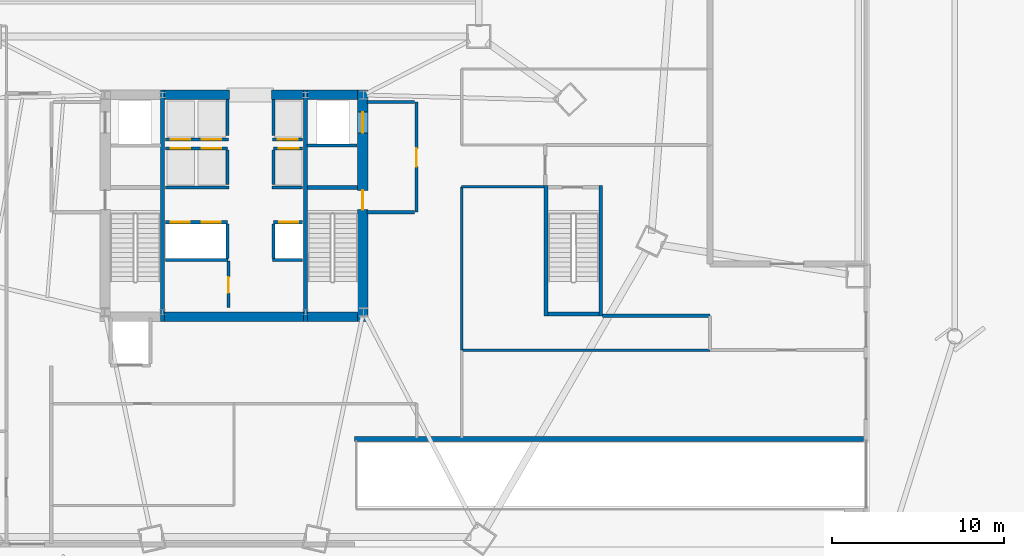
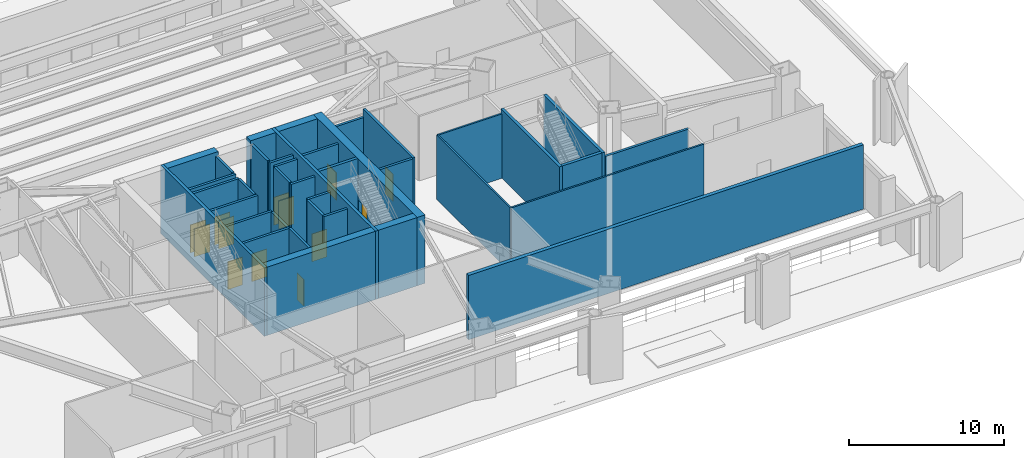
# One storey, part 12 of 19: 38 walls, 13 doors, 13 openings.
"""IFC4 building model written with IfcOpenShell, lengths in metres."""

import ifcopenshell
import ifcopenshell.guid

model = None  # the IFC model being written
_history = None  # IfcOwnerHistory: only IFC2X3 demands one
_inside = {}  # id of a spatial element -> (the spatial element, [elements in it])
_under = {}  # id of a project, library or spatial element -> (it, [spatial elements below it])
_declared = {}  # id of a project -> (the project, [libraries it declares])
_typed = {}  # id of a type object -> (the type object, [elements of that type])
_made_of = {}  # id of a material, layer set ... -> (it, [elements and type objects made of it])


def new_model(schema):
    """Start an empty IFC model of exactly this schema.

    Asked for "IFC4X3", IfcOpenShell would pick the latest addendum, in which some entities
    have other attributes; the version numbers below select the first issue.
    IFC2X3 requires an IfcOwnerHistory on every rooted entity: one is made here for all.
    """
    global model, _history
    if schema == "IFC4X3":
        model = ifcopenshell.file(schema_version=(4, 3, 0, 0))
    else:
        model = ifcopenshell.file(schema=schema)
    _inside.clear()
    _under.clear()
    _declared.clear()
    _typed.clear()
    _made_of.clear()
    _history = None
    if model.schema == "IFC2X3":
        org = make("IfcOrganization", Name="unknown")
        user = make(
            "IfcPersonAndOrganization",
            ThePerson=make("IfcPerson", FamilyName="unknown"),
            TheOrganization=org,
        )
        app = make(
            "IfcApplication",
            ApplicationDeveloper=org,
            Version="unknown",
            ApplicationFullName="unknown",
            ApplicationIdentifier="unknown",
        )
        _history = make(
            "IfcOwnerHistory",
            OwningUser=user,
            OwningApplication=app,
            ChangeAction="ADDED",
            CreationDate=0,
        )
    return model


def make(cls, **values):
    """One entity of the class cls with the attributes given. An attribute that is None is left unset."""
    return model.create_entity(
        cls, **{name: value for name, value in values.items() if value is not None}
    )


def rooted(cls, **values):
    """An entity with a GlobalId (a new one), such as an element, a storey or a relation."""
    return make(cls, GlobalId=ifcopenshell.guid.new(), OwnerHistory=_history, **values)


def si_unit(unit_type, name, prefix=None):
    """IfcSIUnit, for example si_unit("LENGTHUNIT", "METRE", prefix="MILLI")."""
    return make("IfcSIUnit", UnitType=unit_type, Prefix=prefix, Name=name)


def assignment(units):
    """IfcUnitAssignment: the units of a project."""
    return None if units is None else make("IfcUnitAssignment", Units=units)


def point(xyz):
    """IfcCartesianPoint."""
    return None if xyz is None else make("IfcCartesianPoint", Coordinates=xyz)


def direction(xyz):
    """IfcDirection."""
    return None if xyz is None else make("IfcDirection", DirectionRatios=xyz)


def frame(location, z_axis=None, x_axis=None):
    """IfcAxis2Placement3D, a coordinate frame: its origin and axes. An axis left out is left unset."""
    return make(
        "IfcAxis2Placement3D",
        Location=point(location),
        Axis=direction(z_axis),
        RefDirection=direction(x_axis),
    )


def frame_2d(location, x_axis=None):
    """IfcAxis2Placement2D, a coordinate frame in the plane: its origin and x axis."""
    return make(
        "IfcAxis2Placement2D", Location=point(location), RefDirection=direction(x_axis)
    )


def origin():
    """The frame at (0, 0, 0) with its axes left unset."""
    return frame((0.0, 0.0, 0.0))


def place(relative_to, where):
    """IfcLocalPlacement: puts the frame where relative to a parent placement (None: the world)."""
    return make(
        "IfcLocalPlacement", PlacementRelTo=relative_to, RelativePlacement=where
    )


def context(
    kind, dimensions, precision=None, world=None, true_north=None, identifier=None
):
    """IfcGeometricRepresentationContext, for example the 3D "Model" context."""
    return make(
        "IfcGeometricRepresentationContext",
        ContextIdentifier=identifier,
        ContextType=kind,
        CoordinateSpaceDimension=dimensions,
        Precision=precision,
        WorldCoordinateSystem=world,
        TrueNorth=true_north,
    )


def subcontext(parent, identifier, kind, view, scale=None):
    """IfcGeometricRepresentationSubContext, for example "Body" below "Model"."""
    return make(
        "IfcGeometricRepresentationSubContext",
        ContextIdentifier=identifier,
        ContextType=kind,
        ParentContext=parent,
        TargetScale=scale,
        TargetView=view,
    )


def project(units=None, contexts=None):
    """IfcProject with its units and contexts."""
    return rooted(
        "IfcProject",
        Name="project",
        RepresentationContexts=contexts,
        UnitsInContext=assignment(units),
    )


def spatial(cls, under=None, at=None, **own):
    """A site, building, storey or space (cls), placed at a placement, below another one or the project."""
    s = rooted(cls, ObjectPlacement=at, **own)
    if under is not None:
        _under.setdefault(under.id(), (under, []))[1].append(s)
    return s


def profile(cls, at=None, kind="AREA", **sizes):
    """A parametric profile (cls). Its sizes go by their IFC names, for example OverallWidth=200.0."""
    return make(cls, ProfileType=kind, Position=at, **sizes)


def rectangle(**sizes):
    """IfcRectangleProfileDef."""
    return profile("IfcRectangleProfileDef", **sizes)


def extrude(swept, where, along, depth):
    """IfcExtrudedAreaSolid: the profile swept, set in the frame where, extruded along a direction by depth."""
    return make(
        "IfcExtrudedAreaSolid",
        SweptArea=swept,
        Position=where,
        ExtrudedDirection=direction(along),
        Depth=depth,
    )


def shape(context_of_items, identifier, shape_type, items):
    """IfcShapeRepresentation: the items that make up one representation, for example the "Body"."""
    return make(
        "IfcShapeRepresentation",
        ContextOfItems=context_of_items,
        RepresentationIdentifier=identifier,
        RepresentationType=shape_type,
        Items=items,
    )


def material(Name=None, Category=None):
    """IfcMaterial."""
    return make("IfcMaterial", Name=Name, Category=Category)


def layer(
    of_material, thickness, ventilated=None, Name=None, Category=None, Priority=None
):
    """IfcMaterialLayer: one layer of a wall or slab, of a material (None: an air gap)."""
    return make(
        "IfcMaterialLayer",
        Material=of_material,
        LayerThickness=thickness,
        IsVentilated=ventilated,
        Name=Name,
        Category=Category,
        Priority=Priority,
    )


def layer_set(layers, Name=None):
    """IfcMaterialLayerSet."""
    return make("IfcMaterialLayerSet", MaterialLayers=layers, LayerSetName=Name)


def made_of(thing, what):
    """Note that an element or type object is made of a material, layer set ...; save() writes the relation."""
    if what is not None:
        _made_of.setdefault(what.id(), (what, []))[1].append(thing)
    return thing


def type_object(cls, material=None, **own):
    """A type object (cls), such as IfcWallType, which elements share."""
    return made_of(rooted(cls, **own), material)


def element(
    cls,
    number,
    at=None,
    inside=None,
    cuts=None,
    type_object=None,
    material=None,
    context=None,
    identifier="Body",
    shape_type=None,
    held_by="IfcProductDefinitionShape",
    body=None,
    shapes=None,
    **own,
):
    """One element of the class cls, such as IfcWall. Its Tag is "e" and its number.

    at: its placement. inside: the storey or other place that contains it. cuts: it is an
    opening in that element (IfcRelVoidsElement). A single representation is given by context,
    identifier, shape_type and body (its items); several are given by shapes. held_by: the class
    of the entity that holds the representations. save() writes the other relations.
    """
    e = rooted(cls, Tag="e%d" % number, ObjectPlacement=at, **own)
    if body is not None:
        shapes = [shape(context, identifier, shape_type, body)]
    if shapes is not None:
        e.Representation = make(held_by, Representations=shapes)
    if inside is not None:
        _inside.setdefault(inside.id(), (inside, []))[1].append(e)
    if cuts is not None:
        rooted(
            "IfcRelVoidsElement", RelatingBuildingElement=cuts, RelatedOpeningElement=e
        )
    if type_object is not None:
        _typed.setdefault(type_object.id(), (type_object, []))[1].append(e)
    return made_of(e, material)


def fill(opening, filler):
    """IfcRelFillsElement: the door or window that sits in an opening."""
    return rooted(
        "IfcRelFillsElement",
        RelatingOpeningElement=opening,
        RelatedBuildingElement=filler,
    )


def aggregate(whole, parts):
    """IfcRelAggregates: a whole, such as a stair, and the parts it consists of."""
    return rooted("IfcRelAggregates", RelatingObject=whole, RelatedObjects=parts)


def save(model, path):
    """Write the relations noted so far, then the file.

    IfcRelAggregates (storeys below a building ...), IfcRelContainedInSpatialStructure (elements
    in a storey), IfcRelDefinesByType, IfcRelAssociatesMaterial and IfcRelDeclares: one each for
    every whole, place, type object, material and project.
    """
    for whole, parts in _under.values():
        aggregate(whole, parts)
    for where, things in _inside.values():
        rooted(
            "IfcRelContainedInSpatialStructure",
            RelatedElements=things,
            RelatingStructure=where,
        )
    for kind, things in _typed.values():
        rooted("IfcRelDefinesByType", RelatedObjects=things, RelatingType=kind)
    for what, things in _made_of.values():
        rooted("IfcRelAssociatesMaterial", RelatedObjects=things, RelatingMaterial=what)
    for by, libraries in _declared.values():
        rooted("IfcRelDeclares", RelatingContext=by, RelatedDefinitions=libraries)
    model.write(path)


model = new_model("IFC4")

# Units and contexts
model_context = context("Model", 3, precision=1e-05, world=origin(), true_north=direction((0.0, 1.0)))
body_context = subcontext(model_context, "Body", "Model", "MODEL_VIEW")
ifc_project = project(units=[si_unit("LENGTHUNIT", "METRE"), si_unit("AREAUNIT", "SQUARE_METRE"), si_unit("VOLUMEUNIT", "CUBIC_METRE"), si_unit("PLANEANGLEUNIT", "RADIAN"), si_unit("MASSUNIT", "GRAM", prefix="KILO")], contexts=[model_context])

# Site, building, storey
site_placement = place(None, origin())
site = spatial("IfcSite", under=ifc_project, at=site_placement, CompositionType="ELEMENT")
building_placement = place(site_placement, origin())
building = spatial("IfcBuilding", under=site, at=building_placement, Name="Caelisora Broadcast Tower", CompositionType="ELEMENT")
storey_placement = place(building_placement, origin())
storey = spatial("IfcBuildingStorey", under=building, at=storey_placement, Name="L00", CompositionType="ELEMENT", Elevation=0.0)

# Wall, openings, doors
ifc_material_1 = material(Name="Concrete 65 MPa (AS 3600 S65)", Category="concrete")
ifc_layer_1 = layer(ifc_material_1, 0.60009765625, Name="Concrete 65 MPa (AS 3600 S65)")
ifc_layer_set_1 = layer_set([ifc_layer_1], Name="Concrete 65 MPa (AS 3600 S65)")
wall_type_1 = type_object("IfcWallType", Name="CW1", PredefinedType="SHEAR", material=ifc_layer_set_1)
wall_1_placement = place(storey_placement, frame((45.4599609375, 16.85009765625, 0.0), z_axis=(0.0, 0.0, 1.0), x_axis=(0.0, 1.0, 0.0)))
wall_1 = element("IfcWall", 1, at=wall_1_placement, inside=storey, type_object=wall_type_1, Name="L00 core shear wall CW1", PredefinedType="SHEAR", context=body_context, shape_type="SweptSolid", body=[
    extrude(rectangle(XDim=13.4248046875, YDim=0.60009765625, at=frame_2d((6.71240234375, 0.0))), origin(), (0.0, 0.0, 1.0), 5.39990234375),
])
opening_1_placement = place(wall_1_placement, frame((6.5, 0.0, 0.0)))
opening_1 = element("IfcOpeningElement", 2, at=opening_1_placement, cuts=wall_1, Name="Opening FD04", PredefinedType="OPENING", context=body_context, shape_type="SweptSolid", body=[
    extrude(rectangle(XDim=1.1201171875, YDim=2.14990234375, at=frame_2d((0.56005859375, 1.074951171875))), frame((0.0, 0.31201171875, 0.0), z_axis=(0.0, -1.0, 0.0), x_axis=(1.0, 0.0, 0.0)), (0.0, 0.0, 1.0), 0.6240234375),
])
opening_2_placement = place(wall_1_placement, frame((10.949951171875, 0.0, 0.0)))
opening_2 = element("IfcOpeningElement", 3, at=opening_2_placement, cuts=wall_1, Name="Opening LD04", PredefinedType="OPENING", context=body_context, shape_type="SweptSolid", body=[
    extrude(rectangle(XDim=1.199951171875, YDim=2.199951171875, at=frame_2d((0.60009765625, 1.10009765625))), frame((0.0, 0.31201171875, 0.0), z_axis=(0.0, -1.0, 0.0), x_axis=(1.0, 0.0, 0.0)), (0.0, 0.0, 1.0), 0.6240234375),
])
ifc_material_2 = material(Name="Pressurised Fire-Isolated Stair Door", Category="steel")
door_type_1 = type_object("IfcDoorType", Name="FD04", OperationType="NOTDEFINED", PredefinedType="DOOR", material=ifc_material_2)
door_1_placement = place(opening_1_placement, origin())
door_1 = element("IfcDoor", 4, at=door_1_placement, inside=storey, type_object=door_type_1, Name="L00 door FD04 (L00-DR-ST2)", OperationType="SINGLE_SWING_RIGHT", OverallHeight=2.14990234375, OverallWidth=1.1201171875, PredefinedType="DOOR", context=body_context, shape_type="SweptSolid", body=[
    extrude(rectangle(XDim=1.1201171875, YDim=2.14990234375, at=frame_2d((0.56005859375, 1.074951171875))), frame((0.0, 0.02490234375, 0.0), z_axis=(0.0, -1.0, 0.0), x_axis=(1.0, 0.0, 0.0)), (0.0, 0.0, 1.0), 0.050048828125),
])
fill(opening_1, door_1)
ifc_material_3 = material(Name="Emergency Firefighting Lift Sliding Landing Door", Category="steel")
door_type_2 = type_object("IfcDoorType", Name="LD04", OperationType="NOTDEFINED", PredefinedType="DOOR", material=ifc_material_3)
door_2_placement = place(opening_2_placement, origin())
door_2 = element("IfcDoor", 5, at=door_2_placement, inside=storey, type_object=door_type_2, Name="L00 door LD04 (L00-LD-FFL2)", OperationType="SLIDING_TO_RIGHT", OverallHeight=2.199951171875, OverallWidth=1.199951171875, PredefinedType="DOOR", context=body_context, shape_type="SweptSolid", body=[
    extrude(rectangle(XDim=1.199951171875, YDim=2.199951171875, at=frame_2d((0.60009765625, 1.10009765625))), frame((0.0, 0.02490234375, 0.0), z_axis=(0.0, -1.0, 0.0), x_axis=(1.0, 0.0, 0.0)), (0.0, 0.0, 1.0), 0.050048828125),
])
fill(opening_2, door_2)

# Walls
ifc_layer_2 = layer(ifc_material_1, 0.550048828125, Name="Concrete 65 MPa (AS 3600 S65)")
ifc_layer_set_2 = layer_set([ifc_layer_2], Name="Concrete 65 MPa (AS 3600 S65)")
wall_type_2 = type_object("IfcWallType", Name="CW4", PredefinedType="SHEAR", material=ifc_layer_set_2)
wall_2_placement = place(storey_placement, frame((33.9599609375, 17.125, 0.0), z_axis=(0.0, 0.0, 1.0), x_axis=(1.0, 0.0, 0.0)))
element("IfcWall", 6, at=wall_2_placement, inside=storey, type_object=wall_type_2, Name="L00 core shear wall CW4", PredefinedType="SHEAR", context=body_context, shape_type="SweptSolid", body=[
    extrude(rectangle(XDim=8.080078125, YDim=0.550048828125, at=frame_2d((4.0400390625, 0.0))), origin(), (0.0, 0.0, 1.0), 5.39990234375),
])
wall_3_placement = place(storey_placement, frame((42.260009765625, 17.125, 0.0), z_axis=(0.0, 0.0, 1.0), x_axis=(1.0, 0.0, 0.0)))
element("IfcWall", 7, at=wall_3_placement, inside=storey, type_object=wall_type_2, Name="L00 core shear wall CW4", PredefinedType="SHEAR", context=body_context, shape_type="SweptSolid", body=[
    extrude(rectangle(XDim=2.89990234375, YDim=0.550048828125, at=frame_2d((1.449951171875, 0.0))), origin(), (0.0, 0.0, 1.0), 5.39990234375),
])
wall_4_placement = place(storey_placement, frame((33.9599609375, 30.0, 0.0), z_axis=(0.0, 0.0, 1.0), x_axis=(1.0, 0.0, 0.0)))
element("IfcWall", 8, at=wall_4_placement, inside=storey, type_object=wall_type_2, Name="L00 core shear wall CW4", PredefinedType="SHEAR", context=body_context, shape_type="SweptSolid", body=[
    extrude(rectangle(XDim=3.780029296875, YDim=0.550048828125, at=frame_2d((1.89013671875, 0.0))), origin(), (0.0, 0.0, 1.0), 5.39990234375),
])
wall_5_placement = place(storey_placement, frame((40.159912109375, 30.0, 0.0), z_axis=(0.0, 0.0, 1.0), x_axis=(1.0, 0.0, 0.0)))
element("IfcWall", 9, at=wall_5_placement, inside=storey, type_object=wall_type_2, Name="L00 core shear wall CW4", PredefinedType="SHEAR", context=body_context, shape_type="SweptSolid", body=[
    extrude(rectangle(XDim=1.880126953125, YDim=0.550048828125, at=frame_2d((0.93994140625, 0.0))), origin(), (0.0, 0.0, 1.0), 5.39990234375),
])
wall_6_placement = place(storey_placement, frame((42.260009765625, 30.0, 0.0), z_axis=(0.0, 0.0, 1.0), x_axis=(1.0, 0.0, 0.0)))
element("IfcWall", 10, at=wall_6_placement, inside=storey, type_object=wall_type_2, Name="L00 core shear wall CW4", PredefinedType="SHEAR", context=body_context, shape_type="SweptSolid", body=[
    extrude(rectangle(XDim=2.89990234375, YDim=0.550048828125, at=frame_2d((1.449951171875, 0.0))), origin(), (0.0, 0.0, 1.0), 5.39990234375),
])
ifc_material_4 = material(Name="Concrete 50 MPa (AS 3600 S50)", Category="concrete")
ifc_layer_3 = layer(ifc_material_4, 0.219970703125, Name="Concrete 50 MPa (AS 3600 S50)")
ifc_layer_set_3 = layer_set([ifc_layer_3], Name="Concrete 50 MPa (AS 3600 S50)")
wall_type_3 = type_object("IfcWallType", Name="CW7", PredefinedType="SHEAR", material=ifc_layer_set_3)
for number, where, z_axis, x_axis, name in (
    (11, (33.85009765625, 16.85009765625, 0.0), (0.0, 0.0, 1.0), (0.0, 1.0, 0.0), "L00 core shear wall CW7"),
    (12, (42.14990234375, 16.85009765625, 0.0), (0.0, 0.0, 1.0), (0.0, 1.0, 0.0), "L00 core shear wall CW7"),
):
    element("IfcWall", number, at=place(storey_placement, frame(where, z_axis=z_axis, x_axis=x_axis)), inside=storey, type_object=wall_type_3, Name=name, PredefinedType="SHEAR", context=body_context, shape_type="SweptSolid", body=[
        extrude(rectangle(XDim=13.4248046875, YDim=0.219970703125, at=frame_2d((6.71240234375, 0.0))), origin(), (0.0, 0.0, 1.0), 5.39990234375),
    ])
wall_7_placement = place(storey_placement, frame((42.260009765625, 24.639892578125, 0.0), z_axis=(0.0, 0.0, 1.0), x_axis=(1.0, 0.0, 0.0)))
element("IfcWall", 13, at=wall_7_placement, inside=storey, type_object=wall_type_3, Name="L00 core shear wall CW7", PredefinedType="SHEAR", context=body_context, shape_type="SweptSolid", body=[
    extrude(rectangle(XDim=2.89990234375, YDim=0.219970703125, at=frame_2d((1.449951171875, 0.0))), origin(), (0.0, 0.0, 1.0), 5.39990234375),
])
for number, where, z_axis, x_axis, name in (
    (14, (56.090087890625, 17.179931640625, 0.0), (0.0, 0.0, 1.0), (0.0, 1.0, 0.0), "L00 core shear wall CW7"),
    (15, (59.27001953125, 17.179931640625, 0.0), (0.0, 0.0, 1.0), (0.0, 1.0, 0.0), "L00 core shear wall CW7"),
):
    element("IfcWall", number, at=place(storey_placement, frame(where, z_axis=z_axis, x_axis=x_axis)), inside=storey, type_object=wall_type_3, Name=name, PredefinedType="SHEAR", context=body_context, shape_type="SweptSolid", body=[
        extrude(rectangle(XDim=7.580078125, YDim=0.219970703125, at=frame_2d((3.7900390625, 0.0))), origin(), (0.0, 0.0, 1.0), 5.39990234375),
    ])
wall_8_placement = place(storey_placement, frame((56.199951171875, 17.2900390625, 0.0), z_axis=(0.0, 0.0, 1.0), x_axis=(1.0, 0.0, 0.0)))
element("IfcWall", 16, at=wall_8_placement, inside=storey, type_object=wall_type_3, Name="L00 core shear wall CW7", PredefinedType="SHEAR", context=body_context, shape_type="SweptSolid", body=[
    extrude(rectangle(XDim=2.9599609375, YDim=0.219970703125, at=frame_2d((1.47998046875, 0.0))), origin(), (0.0, 0.0, 1.0), 5.39990234375),
])
ifc_material_5 = material(Name="Insulated Terracotta Spandrel Wall System", Category="masonry")
ifc_layer_4 = layer(ifc_material_5, 0.280029296875, Name="Insulated Terracotta Spandrel Wall System")
ifc_layer_set_4 = layer_set([ifc_layer_4], Name="Insulated Terracotta Spandrel Wall System")
wall_type_4 = type_object("IfcWallType", Name="EW1", PredefinedType="STANDARD", material=ifc_layer_set_4)
wall_9_placement = place(storey_placement, frame((45.0, 10.050048828125, 0.0), z_axis=(0.0, 0.0, 1.0), x_axis=(1.0, 0.0, 0.0)))
element("IfcWall", 17, at=wall_9_placement, inside=storey, type_object=wall_type_4, Name="L00 exterior envelope wall EW1", PredefinedType="STANDARD", context=body_context, shape_type="SweptSolid", body=[
    extrude(rectangle(XDim=29.5, YDim=0.280029296875, at=frame_2d((14.75, 0.0))), origin(), (0.0, 0.0, 1.0), 5.080078125),
])

# Wall, openings, doors
ifc_material_6 = material(Name="Fire-Rated Gypsum Shaft and Compartment Wall", Category="gypsum")
ifc_layer_5 = layer(ifc_material_6, 0.179931640625, Name="Fire-Rated Gypsum Shaft and Compartment Wall")
ifc_layer_set_5 = layer_set([ifc_layer_5], Name="Fire-Rated Gypsum Shaft and Compartment Wall")
wall_type_5 = type_object("IfcWallType", Name="PW2", PredefinedType="PARTITIONING", material=ifc_layer_set_5)
wall_10_placement = place(storey_placement, frame((34.02001953125, 22.6201171875, 0.0), z_axis=(0.0, 0.0, 1.0), x_axis=(1.0, 0.0, 0.0)))
wall_10 = element("IfcWall", 18, at=wall_10_placement, inside=storey, type_object=wall_type_5, Name="L00 fire compartment wall PW2", PredefinedType="PARTITIONING", context=body_context, shape_type="SweptSolid", body=[
    extrude(rectangle(XDim=3.60009765625, YDim=0.179931640625, at=frame_2d((1.800048828125, 0.0))), origin(), (0.0, 0.0, 1.0), 5.080078125),
])
opening_3_placement = place(wall_10_placement, frame((0.320068359375, 0.0, 0.0)))
opening_3 = element("IfcOpeningElement", 19, at=opening_3_placement, cuts=wall_10, Name="Opening LD01", PredefinedType="OPENING", context=body_context, shape_type="SweptSolid", body=[
    extrude(rectangle(XDim=1.10009765625, YDim=2.199951171875, at=frame_2d((0.550048828125, 1.10009765625))), frame((0.0, 0.10205078125, 0.0), z_axis=(0.0, -1.0, 0.0), x_axis=(1.0, 0.0, 0.0)), (0.0, 0.0, 1.0), 0.203857421875),
])
opening_4_placement = place(wall_10_placement, frame((2.1201171875, 0.0, 0.0)))
opening_4 = element("IfcOpeningElement", 20, at=opening_4_placement, cuts=wall_10, Name="Opening LD01", PredefinedType="OPENING", context=body_context, shape_type="SweptSolid", body=[
    extrude(rectangle(XDim=1.10009765625, YDim=2.199951171875, at=frame_2d((0.550048828125, 1.10009765625))), frame((0.0, 0.10205078125, 0.0), z_axis=(0.0, -1.0, 0.0), x_axis=(1.0, 0.0, 0.0)), (0.0, 0.0, 1.0), 0.203857421875),
])
ifc_material_7 = material(Name="Stainless Steel Centre-Parting Lift Landing Door", Category="steel")
door_type_3 = type_object("IfcDoorType", Name="LD01", OperationType="NOTDEFINED", PredefinedType="DOOR", material=ifc_material_7)
door_3_placement = place(opening_3_placement, origin())
door_3 = element("IfcDoor", 21, at=door_3_placement, inside=storey, type_object=door_type_3, Name="L00 door LD01 (L00-LD-PLL1)", OperationType="SLIDING_TO_LEFT", OverallHeight=2.199951171875, OverallWidth=1.10009765625, PredefinedType="DOOR", context=body_context, shape_type="SweptSolid", body=[
    extrude(rectangle(XDim=1.10009765625, YDim=2.199951171875, at=frame_2d((0.550048828125, 1.10009765625))), frame((0.0, 0.02490234375, 0.0), z_axis=(0.0, -1.0, 0.0), x_axis=(1.0, 0.0, 0.0)), (0.0, 0.0, 1.0), 0.050048828125),
])
fill(opening_3, door_3)
door_4_placement = place(opening_4_placement, origin())
door_4 = element("IfcDoor", 22, at=door_4_placement, inside=storey, type_object=door_type_3, Name="L00 door LD01 (L00-LD-PLL2)", OperationType="SLIDING_TO_RIGHT", OverallHeight=2.199951171875, OverallWidth=1.10009765625, PredefinedType="DOOR", context=body_context, shape_type="SweptSolid", body=[
    extrude(rectangle(XDim=1.10009765625, YDim=2.199951171875, at=frame_2d((0.550048828125, 1.10009765625))), frame((0.0, 0.02490234375, 0.0), z_axis=(0.0, -1.0, 0.0), x_axis=(1.0, 0.0, 0.0)), (0.0, 0.0, 1.0), 0.050048828125),
])
fill(opening_4, door_4)

# Wall, opening, door
wall_11_placement = place(storey_placement, frame((40.280029296875, 22.6201171875, 0.0), z_axis=(0.0, 0.0, 1.0), x_axis=(1.0, 0.0, 0.0)))
wall_11 = element("IfcWall", 23, at=wall_11_placement, inside=storey, type_object=wall_type_5, Name="L00 fire compartment wall PW2", PredefinedType="PARTITIONING", context=body_context, shape_type="SweptSolid", body=[
    extrude(rectangle(XDim=1.699951171875, YDim=0.179931640625, at=frame_2d((0.85009765625, 0.0))), origin(), (0.0, 0.0, 1.0), 5.080078125),
])
opening_5_placement = place(wall_11_placement, frame((0.35009765625, 0.0, 0.0)))
opening_5 = element("IfcOpeningElement", 24, at=opening_5_placement, cuts=wall_11, Name="Opening LD01", PredefinedType="OPENING", context=body_context, shape_type="SweptSolid", body=[
    extrude(rectangle(XDim=1.10009765625, YDim=2.199951171875, at=frame_2d((0.550048828125, 1.10009765625))), frame((0.0, 0.10205078125, 0.0), z_axis=(0.0, -1.0, 0.0), x_axis=(1.0, 0.0, 0.0)), (0.0, 0.0, 1.0), 0.203857421875),
])
door_5_placement = place(opening_5_placement, origin())
door_5 = element("IfcDoor", 25, at=door_5_placement, inside=storey, type_object=door_type_3, Name="L00 door LD01 (L00-LD-PLL3)", OperationType="SLIDING_TO_LEFT", OverallHeight=2.199951171875, OverallWidth=1.10009765625, PredefinedType="DOOR", context=body_context, shape_type="SweptSolid", body=[
    extrude(rectangle(XDim=1.10009765625, YDim=2.199951171875, at=frame_2d((0.550048828125, 1.10009765625))), frame((0.0, 0.02490234375, 0.0), z_axis=(0.0, -1.0, 0.0), x_axis=(1.0, 0.0, 0.0)), (0.0, 0.0, 1.0), 0.050048828125),
])
fill(opening_5, door_5)

# Walls
for number, where, z_axis, x_axis, name in (
    (26, (37.6201171875, 20.52001953125, 0.0), (0.0, 0.0, 1.0), (0.0, 1.0, 0.0), "L00 fire compartment wall PW2"),
    (27, (40.280029296875, 20.52001953125, 0.0), (0.0, 0.0, 1.0), (0.0, 1.0, 0.0), "L00 fire compartment wall PW2"),
):
    element("IfcWall", number, at=place(storey_placement, frame(where, z_axis=z_axis, x_axis=x_axis)), inside=storey, type_object=wall_type_5, Name=name, PredefinedType="PARTITIONING", context=body_context, shape_type="SweptSolid", body=[
        extrude(rectangle(XDim=2.0, YDim=0.179931640625, at=frame_2d((1.0, 0.0))), origin(), (0.0, 0.0, 1.0), 5.080078125),
    ])

# Wall, openings, doors
wall_12_placement = place(storey_placement, frame((34.02001953125, 26.89990234375, 0.0), z_axis=(0.0, 0.0, 1.0), x_axis=(1.0, 0.0, 0.0)))
wall_12 = element("IfcWall", 28, at=wall_12_placement, inside=storey, type_object=wall_type_5, Name="L00 fire compartment wall PW2", PredefinedType="PARTITIONING", context=body_context, shape_type="SweptSolid", body=[
    extrude(rectangle(XDim=3.60009765625, YDim=0.179931640625, at=frame_2d((1.800048828125, 0.0))), origin(), (0.0, 0.0, 1.0), 5.080078125),
])
opening_6_placement = place(wall_12_placement, frame((0.300048828125, 0.0, 0.0)))
opening_6 = element("IfcOpeningElement", 29, at=opening_6_placement, cuts=wall_12, Name="Opening LD02", PredefinedType="OPENING", context=body_context, shape_type="SweptSolid", body=[
    extrude(rectangle(XDim=1.14990234375, YDim=2.199951171875, at=frame_2d((0.574951171875, 1.10009765625))), frame((0.0, 0.10205078125, 0.0), z_axis=(0.0, -1.0, 0.0), x_axis=(1.0, 0.0, 0.0)), (0.0, 0.0, 1.0), 0.203857421875),
])
opening_7_placement = place(wall_12_placement, frame((2.10009765625, 0.0, 0.0)))
opening_7 = element("IfcOpeningElement", 30, at=opening_7_placement, cuts=wall_12, Name="Opening LD02", PredefinedType="OPENING", context=body_context, shape_type="SweptSolid", body=[
    extrude(rectangle(XDim=1.14990234375, YDim=2.199951171875, at=frame_2d((0.574951171875, 1.10009765625))), frame((0.0, 0.10205078125, 0.0), z_axis=(0.0, -1.0, 0.0), x_axis=(1.0, 0.0, 0.0)), (0.0, 0.0, 1.0), 0.203857421875),
])
ifc_material_8 = material(Name="High-Speed Express Lift Sliding Landing Door", Category="steel")
door_type_4 = type_object("IfcDoorType", Name="LD02", OperationType="NOTDEFINED", PredefinedType="DOOR", material=ifc_material_8)
door_6_placement = place(opening_6_placement, origin())
door_6 = element("IfcDoor", 31, at=door_6_placement, inside=storey, type_object=door_type_4, Name="L00 door LD02 (L00-LD-PLM1)", OperationType="SLIDING_TO_LEFT", OverallHeight=2.199951171875, OverallWidth=1.14990234375, PredefinedType="DOOR", context=body_context, shape_type="SweptSolid", body=[
    extrude(rectangle(XDim=1.14990234375, YDim=2.199951171875, at=frame_2d((0.574951171875, 1.10009765625))), frame((0.0, 0.02490234375, 0.0), z_axis=(0.0, -1.0, 0.0), x_axis=(1.0, 0.0, 0.0)), (0.0, 0.0, 1.0), 0.050048828125),
])
fill(opening_6, door_6)
door_7_placement = place(opening_7_placement, origin())
door_7 = element("IfcDoor", 32, at=door_7_placement, inside=storey, type_object=door_type_4, Name="L00 door LD02 (L00-LD-PLM2)", OperationType="SLIDING_TO_RIGHT", OverallHeight=2.199951171875, OverallWidth=1.14990234375, PredefinedType="DOOR", context=body_context, shape_type="SweptSolid", body=[
    extrude(rectangle(XDim=1.14990234375, YDim=2.199951171875, at=frame_2d((0.574951171875, 1.10009765625))), frame((0.0, 0.02490234375, 0.0), z_axis=(0.0, -1.0, 0.0), x_axis=(1.0, 0.0, 0.0)), (0.0, 0.0, 1.0), 0.050048828125),
])
fill(opening_7, door_7)

# Wall, opening, door
wall_13_placement = place(storey_placement, frame((40.280029296875, 26.89990234375, 0.0), z_axis=(0.0, 0.0, 1.0), x_axis=(1.0, 0.0, 0.0)))
wall_13 = element("IfcWall", 33, at=wall_13_placement, inside=storey, type_object=wall_type_5, Name="L00 fire compartment wall PW2", PredefinedType="PARTITIONING", context=body_context, shape_type="SweptSolid", body=[
    extrude(rectangle(XDim=1.699951171875, YDim=0.179931640625, at=frame_2d((0.85009765625, 0.0))), origin(), (0.0, 0.0, 1.0), 5.080078125),
])
opening_8_placement = place(wall_13_placement, frame((0.320068359375, 0.0, 0.0)))
opening_8 = element("IfcOpeningElement", 34, at=opening_8_placement, cuts=wall_13, Name="Opening LD02", PredefinedType="OPENING", context=body_context, shape_type="SweptSolid", body=[
    extrude(rectangle(XDim=1.14990234375, YDim=2.199951171875, at=frame_2d((0.574951171875, 1.10009765625))), frame((0.0, 0.10205078125, 0.0), z_axis=(0.0, -1.0, 0.0), x_axis=(1.0, 0.0, 0.0)), (0.0, 0.0, 1.0), 0.203857421875),
])
door_8_placement = place(opening_8_placement, origin())
door_8 = element("IfcDoor", 35, at=door_8_placement, inside=storey, type_object=door_type_4, Name="L00 door LD02 (L00-LD-PLM3)", OperationType="SLIDING_TO_LEFT", OverallHeight=2.199951171875, OverallWidth=1.14990234375, PredefinedType="DOOR", context=body_context, shape_type="SweptSolid", body=[
    extrude(rectangle(XDim=1.14990234375, YDim=2.199951171875, at=frame_2d((0.574951171875, 1.10009765625))), frame((0.0, 0.02490234375, 0.0), z_axis=(0.0, -1.0, 0.0), x_axis=(1.0, 0.0, 0.0)), (0.0, 0.0, 1.0), 0.050048828125),
])
fill(opening_8, door_8)

# Walls
for number, where, z_axis, x_axis, name in (
    (36, (37.6201171875, 24.800048828125, 0.0), (0.0, 0.0, 1.0), (0.0, 1.0, 0.0), "L00 fire compartment wall PW2"),
    (37, (40.280029296875, 24.800048828125, 0.0), (0.0, 0.0, 1.0), (0.0, 1.0, 0.0), "L00 fire compartment wall PW2"),
):
    element("IfcWall", number, at=place(storey_placement, frame(where, z_axis=z_axis, x_axis=x_axis)), inside=storey, type_object=wall_type_5, Name=name, PredefinedType="PARTITIONING", context=body_context, shape_type="SweptSolid", body=[
        extrude(rectangle(XDim=2.0, YDim=0.179931640625, at=frame_2d((1.0, 0.0))), origin(), (0.0, 0.0, 1.0), 5.080078125),
    ])
wall_14_placement = place(storey_placement, frame((34.02001953125, 24.639892578125, 0.0), z_axis=(0.0, 0.0, 1.0), x_axis=(1.0, 0.0, 0.0)))
element("IfcWall", 38, at=wall_14_placement, inside=storey, type_object=wall_type_5, Name="L00 fire compartment wall PW2", PredefinedType="PARTITIONING", context=body_context, shape_type="SweptSolid", body=[
    extrude(rectangle(XDim=3.679931640625, YDim=0.179931640625, at=frame_2d((1.83984375, 0.0))), origin(), (0.0, 0.0, 1.0), 5.080078125),
])
wall_15_placement = place(storey_placement, frame((40.199951171875, 24.639892578125, 0.0), z_axis=(0.0, 0.0, 1.0), x_axis=(1.0, 0.0, 0.0)))
element("IfcWall", 39, at=wall_15_placement, inside=storey, type_object=wall_type_5, Name="L00 fire compartment wall PW2", PredefinedType="PARTITIONING", context=body_context, shape_type="SweptSolid", body=[
    extrude(rectangle(XDim=1.780029296875, YDim=0.179931640625, at=frame_2d((0.89013671875, 0.0))), origin(), (0.0, 0.0, 1.0), 5.080078125),
])

# Wall, openings, doors
wall_16_placement = place(storey_placement, frame((34.02001953125, 27.419921875, 0.0), z_axis=(0.0, 0.0, 1.0), x_axis=(1.0, 0.0, 0.0)))
wall_16 = element("IfcWall", 40, at=wall_16_placement, inside=storey, type_object=wall_type_5, Name="L00 fire compartment wall PW2", PredefinedType="PARTITIONING", context=body_context, shape_type="SweptSolid", body=[
    extrude(rectangle(XDim=3.659912109375, YDim=0.179931640625, at=frame_2d((1.830078125, 0.0))), origin(), (0.0, 0.0, 1.0), 5.080078125),
])
opening_9_placement = place(wall_16_placement, frame((0.300048828125, 0.0, 0.0)))
opening_9 = element("IfcOpeningElement", 41, at=opening_9_placement, cuts=wall_16, Name="Opening LD02", PredefinedType="OPENING", context=body_context, shape_type="SweptSolid", body=[
    extrude(rectangle(XDim=1.14990234375, YDim=2.199951171875, at=frame_2d((0.574951171875, 1.10009765625))), frame((0.0, 0.10205078125, 0.0), z_axis=(0.0, -1.0, 0.0), x_axis=(1.0, 0.0, 0.0)), (0.0, 0.0, 1.0), 0.203857421875),
])
opening_10_placement = place(wall_16_placement, frame((2.10009765625, 0.0, 0.0)))
opening_10 = element("IfcOpeningElement", 42, at=opening_10_placement, cuts=wall_16, Name="Opening LD02", PredefinedType="OPENING", context=body_context, shape_type="SweptSolid", body=[
    extrude(rectangle(XDim=1.14990234375, YDim=2.199951171875, at=frame_2d((0.574951171875, 1.10009765625))), frame((0.0, 0.10205078125, 0.0), z_axis=(0.0, -1.0, 0.0), x_axis=(1.0, 0.0, 0.0)), (0.0, 0.0, 1.0), 0.203857421875),
])
door_9_placement = place(opening_9_placement, origin())
door_9 = element("IfcDoor", 43, at=door_9_placement, inside=storey, type_object=door_type_4, Name="L00 door LD02 (L00-LD-PLH1)", OperationType="SLIDING_TO_RIGHT", OverallHeight=2.199951171875, OverallWidth=1.14990234375, PredefinedType="DOOR", context=body_context, shape_type="SweptSolid", body=[
    extrude(rectangle(XDim=1.14990234375, YDim=2.199951171875, at=frame_2d((0.574951171875, 1.10009765625))), frame((0.0, 0.02490234375, 0.0), z_axis=(0.0, -1.0, 0.0), x_axis=(1.0, 0.0, 0.0)), (0.0, 0.0, 1.0), 0.050048828125),
])
fill(opening_9, door_9)
door_10_placement = place(opening_10_placement, origin())
door_10 = element("IfcDoor", 44, at=door_10_placement, inside=storey, type_object=door_type_4, Name="L00 door LD02 (L00-LD-PLH2)", OperationType="SLIDING_TO_LEFT", OverallHeight=2.199951171875, OverallWidth=1.14990234375, PredefinedType="DOOR", context=body_context, shape_type="SweptSolid", body=[
    extrude(rectangle(XDim=1.14990234375, YDim=2.199951171875, at=frame_2d((0.574951171875, 1.10009765625))), frame((0.0, 0.02490234375, 0.0), z_axis=(0.0, -1.0, 0.0), x_axis=(1.0, 0.0, 0.0)), (0.0, 0.0, 1.0), 0.050048828125),
])
fill(opening_10, door_10)

# Wall, opening, door
wall_17_placement = place(storey_placement, frame((40.219970703125, 27.419921875, 0.0), z_axis=(0.0, 0.0, 1.0), x_axis=(1.0, 0.0, 0.0)))
wall_17 = element("IfcWall", 45, at=wall_17_placement, inside=storey, type_object=wall_type_5, Name="L00 fire compartment wall PW2", PredefinedType="PARTITIONING", context=body_context, shape_type="SweptSolid", body=[
    extrude(rectangle(XDim=1.760009765625, YDim=0.179931640625, at=frame_2d((0.8798828125, 0.0))), origin(), (0.0, 0.0, 1.0), 5.080078125),
])
opening_11_placement = place(wall_17_placement, frame((0.320068359375, 0.0, 0.0)))
opening_11 = element("IfcOpeningElement", 46, at=opening_11_placement, cuts=wall_17, Name="Opening LD02", PredefinedType="OPENING", context=body_context, shape_type="SweptSolid", body=[
    extrude(rectangle(XDim=1.14990234375, YDim=2.199951171875, at=frame_2d((0.574951171875, 1.10009765625))), frame((0.0, 0.10205078125, 0.0), z_axis=(0.0, -1.0, 0.0), x_axis=(1.0, 0.0, 0.0)), (0.0, 0.0, 1.0), 0.203857421875),
])
door_11_placement = place(opening_11_placement, origin())
door_11 = element("IfcDoor", 47, at=door_11_placement, inside=storey, type_object=door_type_4, Name="L00 door LD02 (L00-LD-PLH3)", OperationType="SLIDING_TO_RIGHT", OverallHeight=2.199951171875, OverallWidth=1.14990234375, PredefinedType="DOOR", context=body_context, shape_type="SweptSolid", body=[
    extrude(rectangle(XDim=1.14990234375, YDim=2.199951171875, at=frame_2d((0.574951171875, 1.10009765625))), frame((0.0, 0.02490234375, 0.0), z_axis=(0.0, -1.0, 0.0), x_axis=(1.0, 0.0, 0.0)), (0.0, 0.0, 1.0), 0.050048828125),
])
fill(opening_11, door_11)

# Walls
for number, where, z_axis, x_axis, name in (
    (48, (37.6201171875, 27.639892578125, 0.0), (0.0, 0.0, 1.0), (0.0, 1.0, 0.0), "L00 fire compartment wall PW2"),
    (49, (40.280029296875, 27.639892578125, 0.0), (0.0, 0.0, 1.0), (0.0, 1.0, 0.0), "L00 fire compartment wall PW2"),
):
    element("IfcWall", number, at=place(storey_placement, frame(where, z_axis=z_axis, x_axis=x_axis)), inside=storey, type_object=wall_type_5, Name=name, PredefinedType="PARTITIONING", context=body_context, shape_type="SweptSolid", body=[
        extrude(rectangle(XDim=2.110107421875, YDim=0.179931640625, at=frame_2d((1.05517578125, 0.0))), origin(), (0.0, 0.0, 1.0), 5.080078125),
    ])

# Wall, opening, door
wall_18_placement = place(storey_placement, frame((48.580078125, 23.199951171875, 0.0), z_axis=(0.0, 0.0, 1.0), x_axis=(0.0, 1.0, 0.0)))
wall_18 = element("IfcWall", 50, at=wall_18_placement, inside=storey, type_object=wall_type_5, Name="L00 fire compartment wall PW2", PredefinedType="PARTITIONING", context=body_context, shape_type="SweptSolid", body=[
    extrude(rectangle(XDim=6.400146484375, YDim=0.179931640625, at=frame_2d((3.2001953125, 0.0))), origin(), (0.0, 0.0, 1.0), 5.080078125),
])
opening_12_placement = place(wall_18_placement, frame((2.64990234375, 0.0, 0.0)))
opening_12 = element("IfcOpeningElement", 51, at=opening_12_placement, cuts=wall_18, Name="Opening FD02", PredefinedType="OPENING", context=body_context, shape_type="SweptSolid", body=[
    extrude(rectangle(XDim=1.050048828125, YDim=2.14990234375, at=frame_2d((0.52490234375, 1.074951171875))), frame((0.0, 0.10205078125, 0.0), z_axis=(0.0, -1.0, 0.0), x_axis=(1.0, 0.0, 0.0)), (0.0, 0.0, 1.0), 0.203857421875),
])
ifc_material_9 = material(Name="Single-Leaf Steel Fire Lobby Door", Category="steel")
door_type_5 = type_object("IfcDoorType", Name="FD02", OperationType="NOTDEFINED", PredefinedType="DOOR", material=ifc_material_9)
door_12_placement = place(opening_12_placement, origin())
door_12 = element("IfcDoor", 52, at=door_12_placement, inside=storey, type_object=door_type_5, Name="L00 door FD02 (L00-DR-P04D1)", OperationType="SINGLE_SWING_RIGHT", OverallHeight=2.14990234375, OverallWidth=1.050048828125, PredefinedType="DOOR", context=body_context, shape_type="SweptSolid", body=[
    extrude(rectangle(XDim=1.050048828125, YDim=2.14990234375, at=frame_2d((0.52490234375, 1.074951171875))), frame((0.0, 0.02490234375, 0.0), z_axis=(0.0, -1.0, 0.0), x_axis=(1.0, 0.0, 0.0)), (0.0, 0.0, 1.0), 0.050048828125),
])
fill(opening_12, door_12)

# Walls
wall_19_placement = place(storey_placement, frame((45.719970703125, 23.199951171875, 0.0), z_axis=(0.0, 0.0, 1.0), x_axis=(1.0, 0.0, 0.0)))
element("IfcWall", 53, at=wall_19_placement, inside=storey, type_object=wall_type_5, Name="L00 fire compartment wall PW2", PredefinedType="PARTITIONING", context=body_context, shape_type="SweptSolid", body=[
    extrude(rectangle(XDim=2.760009765625, YDim=0.179931640625, at=frame_2d((1.3798828125, 0.0))), origin(), (0.0, 0.0, 1.0), 5.080078125),
])
wall_20_placement = place(storey_placement, frame((45.719970703125, 29.60009765625, 0.0), z_axis=(0.0, 0.0, 1.0), x_axis=(1.0, 0.0, 0.0)))
element("IfcWall", 54, at=wall_20_placement, inside=storey, type_object=wall_type_5, Name="L00 fire compartment wall PW2", PredefinedType="PARTITIONING", context=body_context, shape_type="SweptSolid", body=[
    extrude(rectangle(XDim=2.760009765625, YDim=0.179931640625, at=frame_2d((1.3798828125, 0.0))), origin(), (0.0, 0.0, 1.0), 4.453369140625),
])
wall_21_placement = place(storey_placement, frame((42.239990234375, 27.070068359375, 0.0), z_axis=(0.0, 0.0, 1.0), x_axis=(1.0, 0.0, 0.0)))
element("IfcWall", 55, at=wall_21_placement, inside=storey, type_object=wall_type_5, Name="L00 fire compartment wall PW2", PredefinedType="PARTITIONING", context=body_context, shape_type="SweptSolid", body=[
    extrude(rectangle(XDim=2.89990234375, YDim=0.179931640625, at=frame_2d((1.449951171875, 0.0))), origin(), (0.0, 0.0, 1.0), 5.080078125),
])
wall_22_placement = place(storey_placement, frame((34.02001953125, 20.419921875, 0.0), z_axis=(0.0, 0.0, 1.0), x_axis=(1.0, 0.0, 0.0)))
element("IfcWall", 56, at=wall_22_placement, inside=storey, type_object=wall_type_5, Name="L00 fire compartment wall PW2", PredefinedType="PARTITIONING", context=body_context, shape_type="SweptSolid", body=[
    extrude(rectangle(XDim=3.639892578125, YDim=0.179931640625, at=frame_2d((1.81982421875, 0.0))), origin(), (0.0, 0.0, 1.0), 5.080078125),
])
wall_23_placement = place(storey_placement, frame((40.219970703125, 20.419921875, 0.0), z_axis=(0.0, 0.0, 1.0), x_axis=(1.0, 0.0, 0.0)))
element("IfcWall", 57, at=wall_23_placement, inside=storey, type_object=wall_type_5, Name="L00 fire compartment wall PW2", PredefinedType="PARTITIONING", context=body_context, shape_type="SweptSolid", body=[
    extrude(rectangle(XDim=1.760009765625, YDim=0.179931640625, at=frame_2d((0.8798828125, 0.0))), origin(), (0.0, 0.0, 1.0), 5.080078125),
])

# Wall, opening, door
wall_24_placement = place(storey_placement, frame((37.679931640625, 17.679931640625, 0.0), z_axis=(0.0, 0.0, 1.0), x_axis=(0.0, 1.0, 0.0)))
wall_24 = element("IfcWall", 58, at=wall_24_placement, inside=storey, type_object=wall_type_5, Name="L00 fire compartment wall PW2", PredefinedType="PARTITIONING", context=body_context, shape_type="SweptSolid", body=[
    extrude(rectangle(XDim=2.699951171875, YDim=0.179931640625, at=frame_2d((1.35009765625, 0.0))), origin(), (0.0, 0.0, 1.0), 5.080078125),
])
opening_13_placement = place(wall_24_placement, frame((0.85009765625, 0.0, 0.0)))
opening_13 = element("IfcOpeningElement", 59, at=opening_13_placement, cuts=wall_24, Name="Opening FD03", PredefinedType="OPENING", context=body_context, shape_type="SweptSolid", body=[
    extrude(rectangle(XDim=0.89990234375, YDim=2.10009765625, at=frame_2d((0.449951171875, 1.050048828125))), frame((0.0, 0.10205078125, 0.0), z_axis=(0.0, -1.0, 0.0), x_axis=(1.0, 0.0, 0.0)), (0.0, 0.0, 1.0), 0.203857421875),
])
ifc_material_10 = material(Name="Single-Leaf Steel Riser Fire Access Door", Category="steel")
door_type_6 = type_object("IfcDoorType", Name="FD03", OperationType="NOTDEFINED", PredefinedType="DOOR", material=ifc_material_10)
door_13_placement = place(opening_13_placement, origin())
door_13 = element("IfcDoor", 60, at=door_13_placement, inside=storey, type_object=door_type_6, Name="L00 door FD03 (L00-DR-P11D1)", OperationType="SINGLE_SWING_LEFT", OverallHeight=2.10009765625, OverallWidth=0.89990234375, PredefinedType="DOOR", context=body_context, shape_type="SweptSolid", body=[
    extrude(rectangle(XDim=0.89990234375, YDim=2.10009765625, at=frame_2d((0.449951171875, 1.050048828125))), frame((0.0, 0.02490234375, 0.0), z_axis=(0.0, -1.0, 0.0), x_axis=(1.0, 0.0, 0.0)), (0.0, 0.0, 1.0), 0.050048828125),
])
fill(opening_13, door_13)

# Walls
wall_25_placement = place(storey_placement, frame((65.594970703125, 17.199951171875, 0.0), z_axis=(0.0, 0.0, 1.0), x_axis=(-1.0, 0.0, 0.0)))
element("IfcWall", 61, at=wall_25_placement, inside=storey, type_object=wall_type_5, Name="L00 fire compartment wall PW2", PredefinedType="PARTITIONING", context=body_context, shape_type="SweptSolid", body=[
    extrude(rectangle(XDim=6.219970703125, YDim=0.179931640625, at=frame_2d((3.10986328125, 0.0))), origin(), (0.0, 0.0, 1.0), 5.080078125),
])
ifc_material_11 = material(Name="Acoustic Steel-Stud Plasterboard Partition", Category="gypsum")
ifc_layer_6 = layer(ifc_material_11, 0.1298828125, Name="Acoustic Steel-Stud Plasterboard Partition")
ifc_layer_set_6 = layer_set([ifc_layer_6], Name="Acoustic Steel-Stud Plasterboard Partition")
wall_type_6 = type_object("IfcWallType", Name="PW3", PredefinedType="PARTITIONING", material=ifc_layer_set_6)
wall_26_placement = place(storey_placement, frame((51.205078125, 15.199951171875, 0.0), z_axis=(0.0, 0.0, 1.0), x_axis=(1.0, 0.0, 0.0)))
element("IfcWall", 62, at=wall_26_placement, inside=storey, type_object=wall_type_6, Name="L00 internal partition PW3", PredefinedType="PARTITIONING", context=body_context, shape_type="SweptSolid", body=[
    extrude(rectangle(XDim=14.389892578125, YDim=0.1298828125, at=frame_2d((7.19482421875, 0.0))), origin(), (0.0, 0.0, 1.0), 5.080078125),
])
wall_27_placement = place(storey_placement, frame((51.199951171875, 15.205078125, 0.0), z_axis=(0.0, 0.0, 1.0), x_axis=(0.0, 1.0, 0.0)))
element("IfcWall", 63, at=wall_27_placement, inside=storey, type_object=wall_type_6, Name="L00 internal partition PW3", PredefinedType="PARTITIONING", context=body_context, shape_type="SweptSolid", body=[
    extrude(rectangle(XDim=9.469970703125, YDim=0.1298828125, at=frame_2d((4.73486328125, 0.0))), origin(), (0.0, 0.0, 1.0), 5.080078125),
])
wall_28_placement = place(storey_placement, frame((51.205078125, 24.679931640625, 0.0), z_axis=(0.0, 0.0, 1.0), x_axis=(1.0, 0.0, 0.0)))
element("IfcWall", 64, at=wall_28_placement, inside=storey, type_object=wall_type_6, Name="L00 internal partition PW3", PredefinedType="PARTITIONING", context=body_context, shape_type="SweptSolid", body=[
    extrude(rectangle(XDim=4.77001953125, YDim=0.1298828125, at=frame_2d((2.385009765625, 0.0))), origin(), (0.0, 0.0, 1.0), 5.080078125),
])

save(model, "model.ifc")
